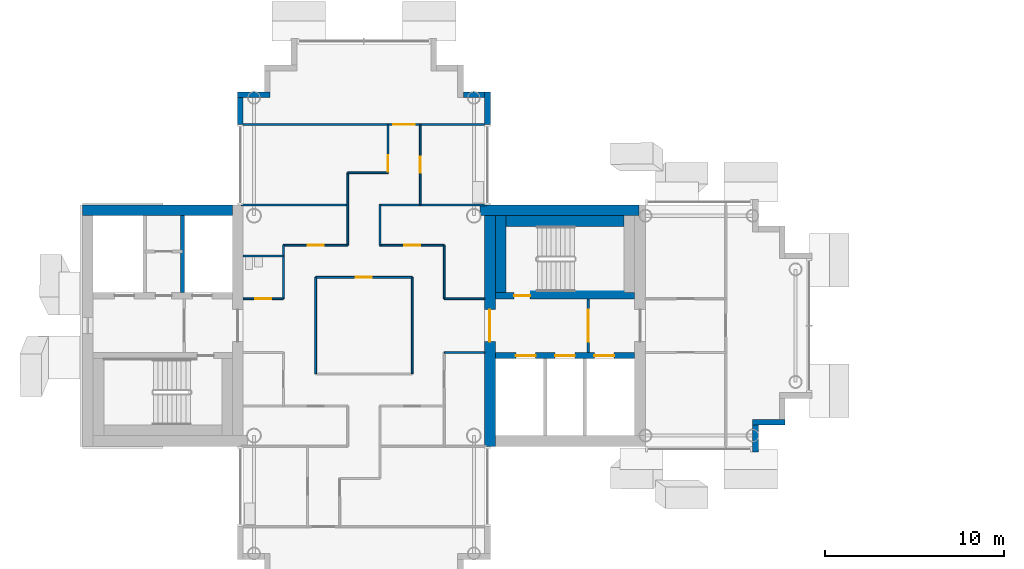
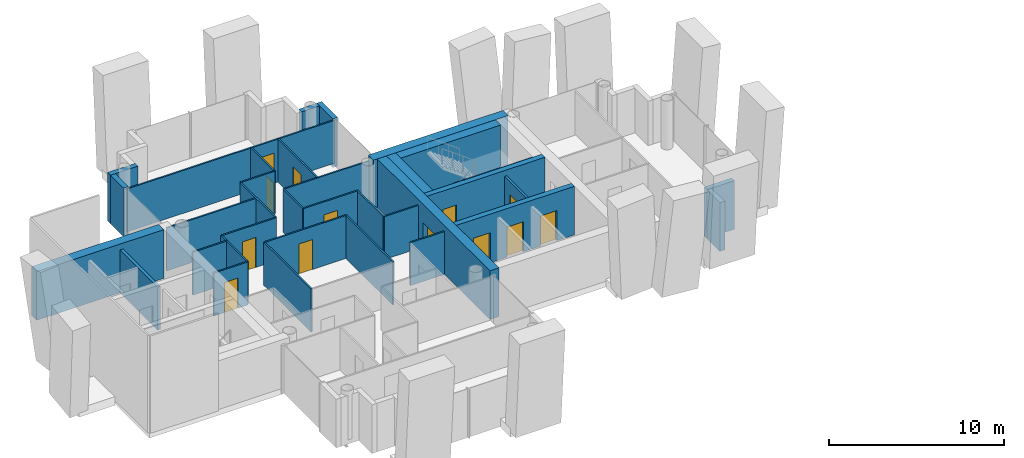
# One storey, part 7 of 18: 35 walls, 13 doors, 13 openings.
"""IFC4 building model written with IfcOpenShell, lengths in metres."""

from ifc_helpers import new_model, si_unit, direction, frame, frame_2d, origin, place, context, subcontext, project, spatial, rectangle, extrude, material, layer, layer_set, type_object, element, fill, save


model = new_model("IFC4")

# Units and contexts
model_context = context("Model", 3, precision=1e-05, world=origin(), true_north=direction((0.0, 1.0)))
body_context = subcontext(model_context, "Body", "Model", "MODEL_VIEW")
ifc_project = project(units=[si_unit("LENGTHUNIT", "METRE"), si_unit("AREAUNIT", "SQUARE_METRE"), si_unit("VOLUMEUNIT", "CUBIC_METRE"), si_unit("PLANEANGLEUNIT", "RADIAN"), si_unit("MASSUNIT", "GRAM", prefix="KILO")], contexts=[model_context])

# Site, building, storey
site_placement = place(None, origin())
site = spatial("IfcSite", under=ifc_project, at=site_placement, CompositionType="ELEMENT")
building_placement = place(site_placement, origin())
building = spatial("IfcBuilding", under=site, at=building_placement, Name="Ipe Terrace Towers", CompositionType="ELEMENT")
storey_placement = place(building_placement, frame((0.0, 0.0, 216.39990234375)))
storey = spatial("IfcBuildingStorey", under=building, at=storey_placement, Name="L60", CompositionType="ELEMENT", Elevation=216.39990234375)

# Walls
ifc_material_1 = material(Name="Concrete C40/50 with buff precast cladding", Category="concrete")
ifc_layer_1 = layer(ifc_material_1, 0.320068359375)
ifc_layer_set_1 = layer_set([ifc_layer_1], Name="BUFF CLADDING WALL 320")
wall_type_1 = type_object("IfcWallType", Name="BUFF CLADDING WALL 320", PredefinedType="STANDARD", material=ifc_layer_set_1)
wall_1_placement = place(storey_placement, frame((-14.090087890625, -7.070068359375, -0.2998046875), z_axis=(0.0, 0.0, 1.0), x_axis=(0.0, 1.0, 0.0)))
element("IfcWall", 1, at=wall_1_placement, inside=storey, type_object=wall_type_1, Name="T1-W-L60-17a wall", PredefinedType="STANDARD", context=body_context, shape_type="SweptSolid", body=[
    extrude(rectangle(XDim=1.5, YDim=0.320068359375, at=frame_2d((0.75, 0.0))), origin(), (0.0, 0.0, 1.0), 3.39990234375),
])
for number, where, z_axis, x_axis, name in (
    (2, (-14.25, -5.409912109375, -0.2998046875), (0.0, 0.0, 1.0), (1.0, 0.0, 0.0), "T1-W-L60-18a wall"),
    (3, (-29.090087890625, 11.25, -0.2998046875), (0.0, 0.0, 1.0), (0.0, 1.0, 0.0), "T1-W-L60-29a wall"),
):
    element("IfcWall", number, at=place(storey_placement, frame(where, z_axis=z_axis, x_axis=x_axis)), inside=storey, type_object=wall_type_1, Name=name, PredefinedType="STANDARD", context=body_context, shape_type="SweptSolid", body=[
        extrude(rectangle(XDim=1.820068359375, YDim=0.320068359375, at=frame_2d((0.91015625, 0.0))), origin(), (0.0, 0.0, 1.0), 3.39990234375),
    ])
wall_2_placement = place(storey_placement, frame((-29.25, 12.909912109375, -0.2998046875), z_axis=(0.0, 0.0, 1.0), x_axis=(-1.0, 0.0, 0.0)))
element("IfcWall", 4, at=wall_2_placement, inside=storey, type_object=wall_type_1, Name="T1-W-L60-30a wall", PredefinedType="STANDARD", context=body_context, shape_type="SweptSolid", body=[
    extrude(rectangle(XDim=1.179931640625, YDim=0.320068359375, at=frame_2d((0.58984375, 0.0))), origin(), (0.0, 0.0, 1.0), 3.39990234375),
])
wall_3_placement = place(storey_placement, frame((-41.25, 12.909912109375, -0.2998046875), z_axis=(0.0, 0.0, 1.0), x_axis=(-1.0, 0.0, 0.0)))
element("IfcWall", 5, at=wall_3_placement, inside=storey, type_object=wall_type_1, Name="T1-W-L60-38a wall", PredefinedType="STANDARD", context=body_context, shape_type="SweptSolid", body=[
    extrude(rectangle(XDim=1.820068359375, YDim=0.320068359375, at=frame_2d((0.91015625, 0.0))), origin(), (0.0, 0.0, 1.0), 3.39990234375),
])
wall_4_placement = place(storey_placement, frame((-42.909912109375, 12.75, -0.2998046875), z_axis=(0.0, 0.0, 1.0), x_axis=(0.0, -1.0, 0.0)))
element("IfcWall", 6, at=wall_4_placement, inside=storey, type_object=wall_type_1, Name="T1-W-L60-39a wall", PredefinedType="STANDARD", context=body_context, shape_type="SweptSolid", body=[
    extrude(rectangle(XDim=1.5, YDim=0.320068359375, at=frame_2d((0.75, 0.0))), origin(), (0.0, 0.0, 1.0), 3.39990234375),
])
ifc_material_2 = material(Name="Gypsum board partition", Category="plasterboard")
ifc_layer_2 = layer(ifc_material_2, 0.10009765625)
ifc_layer_set_2 = layer_set([ifc_layer_2], Name="Gypsum board partition 100 mm")
wall_type_2 = type_object("IfcWallType", Name="Gypsum board partition 100 mm", PredefinedType="PARTITIONING", material=ifc_layer_set_2)
wall_5_placement = place(storey_placement, frame((-40.5, 1.5, 0.0), z_axis=(0.0, 0.0, 1.0), x_axis=(0.0, 1.0, 0.0)))
element("IfcWall", 7, at=wall_5_placement, inside=storey, type_object=wall_type_2, Name="Gypsum board partition T1 L60 W02", PredefinedType="PARTITIONING", context=body_context, shape_type="SweptSolid", body=[
    extrude(rectangle(XDim=3.0, YDim=0.10009765625, at=frame_2d((1.5, 0.0))), origin(), (0.0, 0.0, 1.0), 3.0),
])
wall_6_placement = place(storey_placement, frame((-38.699951171875, -2.699951171875, 0.0), z_axis=(0.0, 0.0, 1.0), x_axis=(0.0, 1.0, 0.0)))
element("IfcWall", 8, at=wall_6_placement, inside=storey, type_object=wall_type_2, Name="Gypsum board partition T1 L60 W04", PredefinedType="PARTITIONING", context=body_context, shape_type="SweptSolid", body=[
    extrude(rectangle(XDim=5.39990234375, YDim=0.10009765625, at=frame_2d((2.699951171875, 0.0))), origin(), (0.0, 0.0, 1.0), 3.0),
])
wall_7_placement = place(storey_placement, frame((-36.89990234375, 4.5, 0.0), z_axis=(0.0, 0.0, 1.0), x_axis=(0.0, 1.0, 0.0)))
element("IfcWall", 9, at=wall_7_placement, inside=storey, type_object=wall_type_2, Name="Gypsum board partition T1 L60 W07", PredefinedType="PARTITIONING", context=body_context, shape_type="SweptSolid", body=[
    extrude(rectangle(XDim=4.050048828125, YDim=0.10009765625, at=frame_2d((2.02490234375, 0.0))), origin(), (0.0, 0.0, 1.0), 3.0),
])
wall_8_placement = place(storey_placement, frame((-35.10009765625, 4.5, 0.0), z_axis=(0.0, 0.0, 1.0), x_axis=(0.0, 1.0, 0.0)))
element("IfcWall", 10, at=wall_8_placement, inside=storey, type_object=wall_type_2, Name="Gypsum board partition T1 L60 W09", PredefinedType="PARTITIONING", context=body_context, shape_type="SweptSolid", body=[
    extrude(rectangle(XDim=2.25, YDim=0.10009765625, at=frame_2d((1.125, 0.0))), origin(), (0.0, 0.0, 1.0), 3.0),
])

# Wall, opening, door
wall_9_placement = place(storey_placement, frame((-34.64990234375, 8.550048828125, 0.0), z_axis=(0.0, 0.0, 1.0), x_axis=(0.0, 1.0, 0.0)))
wall_9 = element("IfcWall", 11, at=wall_9_placement, inside=storey, type_object=wall_type_2, Name="Gypsum board partition T1 L60 W10", PredefinedType="PARTITIONING", context=body_context, shape_type="SweptSolid", body=[
    extrude(rectangle(XDim=2.699951171875, YDim=0.10009765625, at=frame_2d((1.35009765625, 0.0))), origin(), (0.0, 0.0, 1.0), 3.0),
])
opening_1_placement = place(wall_9_placement, frame((0.070068359375, 0.0, 0.0)))
opening_1 = element("IfcOpeningElement", 12, at=opening_1_placement, cuts=wall_9, Name="Opening T1-Z4F-09", PredefinedType="OPENING", context=body_context, shape_type="SweptSolid", body=[
    extrude(rectangle(XDim=0.89990234375, YDim=2.10009765625, at=frame_2d((0.449951171875, 1.050048828125))), frame((0.0, 0.06005859375, 0.0), z_axis=(0.0, -1.0, 0.0), x_axis=(1.0, 0.0, 0.0)), (0.0, 0.0, 1.0), 0.1201171875),
])
ifc_material_3 = material(Name="Timber door leaf", Category="wood")
door_type_1 = type_object("IfcDoorType", Name="Lounge door 900 x 2100", OperationType="NOTDEFINED", PredefinedType="DOOR", material=ifc_material_3)
door_1_placement = place(opening_1_placement, origin())
door_1 = element("IfcDoor", 13, at=door_1_placement, inside=storey, type_object=door_type_1, Name="Lounge door T1-Z4F-09", OperationType="SINGLE_SWING_RIGHT", OverallHeight=2.10009765625, OverallWidth=0.89990234375, PredefinedType="DOOR", context=body_context, shape_type="SweptSolid", body=[
    extrude(rectangle(XDim=0.89990234375, YDim=2.10009765625, at=frame_2d((0.449951171875, 1.050048828125))), frame((0.0, 0.02490234375, 0.0), z_axis=(0.0, -1.0, 0.0), x_axis=(1.0, 0.0, 0.0)), (0.0, 0.0, 1.0), 0.050048828125),
])
fill(opening_1, door_1)

# Wall
wall_10_placement = place(storey_placement, frame((-33.300048828125, -2.699951171875, 0.0), z_axis=(0.0, 0.0, 1.0), x_axis=(0.0, 1.0, 0.0)))
element("IfcWall", 14, at=wall_10_placement, inside=storey, type_object=wall_type_2, Name="Gypsum board partition T1 L60 W11", PredefinedType="PARTITIONING", context=body_context, shape_type="SweptSolid", body=[
    extrude(rectangle(XDim=5.39990234375, YDim=0.10009765625, at=frame_2d((2.699951171875, 0.0))), origin(), (0.0, 0.0, 1.0), 3.0),
])

# Wall, opening, door
wall_11_placement = place(storey_placement, frame((-32.85009765625, 6.75, 0.0), z_axis=(0.0, 0.0, 1.0), x_axis=(0.0, 1.0, 0.0)))
wall_11 = element("IfcWall", 15, at=wall_11_placement, inside=storey, type_object=wall_type_2, Name="Gypsum board partition T1 L60 W12", PredefinedType="PARTITIONING", context=body_context, shape_type="SweptSolid", body=[
    extrude(rectangle(XDim=4.5, YDim=0.10009765625, at=frame_2d((2.25, 0.0))), origin(), (0.0, 0.0, 1.0), 3.0),
])
opening_2_placement = place(wall_11_placement, frame((1.800048828125, 0.0, 0.0)))
opening_2 = element("IfcOpeningElement", 16, at=opening_2_placement, cuts=wall_11, Name="Opening T1-Z4F-10", PredefinedType="OPENING", context=body_context, shape_type="SweptSolid", body=[
    extrude(rectangle(XDim=0.89990234375, YDim=2.10009765625, at=frame_2d((0.449951171875, 1.050048828125))), frame((0.0, 0.06005859375, 0.0), z_axis=(0.0, -1.0, 0.0), x_axis=(1.0, 0.0, 0.0)), (0.0, 0.0, 1.0), 0.1201171875),
])
door_2_placement = place(opening_2_placement, origin())
door_2 = element("IfcDoor", 17, at=door_2_placement, inside=storey, type_object=door_type_1, Name="Lounge door T1-Z4F-10", OperationType="SINGLE_SWING_RIGHT", OverallHeight=2.10009765625, OverallWidth=0.89990234375, PredefinedType="DOOR", context=body_context, shape_type="SweptSolid", body=[
    extrude(rectangle(XDim=0.89990234375, YDim=2.10009765625, at=frame_2d((0.449951171875, 1.050048828125))), frame((0.0, 0.02490234375, 0.0), z_axis=(0.0, -1.0, 0.0), x_axis=(1.0, 0.0, 0.0)), (0.0, 0.0, 1.0), 0.050048828125),
])
fill(opening_2, door_2)

# Walls
wall_12_placement = place(storey_placement, frame((-31.5, 1.5, 0.0), z_axis=(0.0, 0.0, 1.0), x_axis=(0.0, 1.0, 0.0)))
element("IfcWall", 18, at=wall_12_placement, inside=storey, type_object=wall_type_2, Name="Gypsum board partition T1 L60 W14", PredefinedType="PARTITIONING", context=body_context, shape_type="SweptSolid", body=[
    extrude(rectangle(XDim=3.0, YDim=0.10009765625, at=frame_2d((1.5, 0.0))), origin(), (0.0, 0.0, 1.0), 3.0),
])
wall_13_placement = place(storey_placement, frame((-31.5, -1.5, 0.0), z_axis=(0.0, 0.0, 1.0), x_axis=(1.0, 0.0, 0.0)))
element("IfcWall", 19, at=wall_13_placement, inside=storey, type_object=wall_type_2, Name="Gypsum board partition T1 L60 W24", PredefinedType="PARTITIONING", context=body_context, shape_type="SweptSolid", body=[
    extrude(rectangle(XDim=2.25, YDim=0.10009765625, at=frame_2d((1.125, 0.0))), origin(), (0.0, 0.0, 1.0), 3.0),
])

# Wall, opening, door
wall_14_placement = place(storey_placement, frame((-42.75, 1.5, 0.0), z_axis=(0.0, 0.0, 1.0), x_axis=(1.0, 0.0, 0.0)))
wall_14 = element("IfcWall", 20, at=wall_14_placement, inside=storey, type_object=wall_type_2, Name="Gypsum board partition T1 L60 W26", PredefinedType="PARTITIONING", context=body_context, shape_type="SweptSolid", body=[
    extrude(rectangle(XDim=2.25, YDim=0.10009765625, at=frame_2d((1.125, 0.0))), origin(), (0.0, 0.0, 1.0), 3.0),
])
opening_3_placement = place(wall_14_placement, frame((0.675048828125, 0.0, 0.0)))
opening_3 = element("IfcOpeningElement", 21, at=opening_3_placement, cuts=wall_14, Name="Opening T1-Z4F-02", PredefinedType="OPENING", context=body_context, shape_type="SweptSolid", body=[
    extrude(rectangle(XDim=0.89990234375, YDim=2.10009765625, at=frame_2d((0.449951171875, 1.050048828125))), frame((0.0, 0.06005859375, 0.0), z_axis=(0.0, -1.0, 0.0), x_axis=(1.0, 0.0, 0.0)), (0.0, 0.0, 1.0), 0.1201171875),
])
ifc_material_4 = material(Name="Timber door leaf", Category="wood")
door_type_2 = type_object("IfcDoorType", Name="Bathroom door 900 x 2100", OperationType="NOTDEFINED", PredefinedType="DOOR", material=ifc_material_4)
door_3_placement = place(opening_3_placement, origin())
door_3 = element("IfcDoor", 22, at=door_3_placement, inside=storey, type_object=door_type_2, Name="Bathroom door T1-Z4F-02", OperationType="SINGLE_SWING_LEFT", OverallHeight=2.10009765625, OverallWidth=0.89990234375, PredefinedType="DOOR", context=body_context, shape_type="SweptSolid", body=[
    extrude(rectangle(XDim=0.89990234375, YDim=2.10009765625, at=frame_2d((0.449951171875, 1.050048828125))), frame((0.0, 0.02490234375, 0.0), z_axis=(0.0, -1.0, 0.0), x_axis=(1.0, 0.0, 0.0)), (0.0, 0.0, 1.0), 0.050048828125),
])
fill(opening_3, door_3)

# Wall
wall_15_placement = place(storey_placement, frame((-31.5, 1.5, 0.0), z_axis=(0.0, 0.0, 1.0), x_axis=(1.0, 0.0, 0.0)))
element("IfcWall", 23, at=wall_15_placement, inside=storey, type_object=wall_type_2, Name="Gypsum board partition T1 L60 W27", PredefinedType="PARTITIONING", context=body_context, shape_type="SweptSolid", body=[
    extrude(rectangle(XDim=2.25, YDim=0.10009765625, at=frame_2d((1.125, 0.0))), origin(), (0.0, 0.0, 1.0), 3.0),
])

# Wall, opening, door
wall_16_placement = place(storey_placement, frame((-38.699951171875, 2.699951171875, 0.0), z_axis=(0.0, 0.0, 1.0), x_axis=(1.0, 0.0, 0.0)))
wall_16 = element("IfcWall", 24, at=wall_16_placement, inside=storey, type_object=wall_type_2, Name="Gypsum board partition T1 L60 W29", PredefinedType="PARTITIONING", context=body_context, shape_type="SweptSolid", body=[
    extrude(rectangle(XDim=5.39990234375, YDim=0.10009765625, at=frame_2d((2.699951171875, 0.0))), origin(), (0.0, 0.0, 1.0), 3.0),
])
opening_4_placement = place(wall_16_placement, frame((2.25, 0.0, 0.0)))
opening_4 = element("IfcOpeningElement", 25, at=opening_4_placement, cuts=wall_16, Name="Opening T1-Z4F-01", PredefinedType="OPENING", context=body_context, shape_type="SweptSolid", body=[
    extrude(rectangle(XDim=0.89990234375, YDim=2.10009765625, at=frame_2d((0.449951171875, 1.050048828125))), frame((0.0, 0.06005859375, 0.0), z_axis=(0.0, -1.0, 0.0), x_axis=(1.0, 0.0, 0.0)), (0.0, 0.0, 1.0), 0.1201171875),
])
door_4_placement = place(opening_4_placement, origin())
door_4 = element("IfcDoor", 26, at=door_4_placement, inside=storey, type_object=door_type_1, Name="Lounge door T1-Z4F-01", OperationType="SINGLE_SWING_RIGHT", OverallHeight=2.10009765625, OverallWidth=0.89990234375, PredefinedType="DOOR", context=body_context, shape_type="SweptSolid", body=[
    extrude(rectangle(XDim=0.89990234375, YDim=2.10009765625, at=frame_2d((0.449951171875, 1.050048828125))), frame((0.0, 0.02490234375, 0.0), z_axis=(0.0, -1.0, 0.0), x_axis=(1.0, 0.0, 0.0)), (0.0, 0.0, 1.0), 0.050048828125),
])
fill(opening_4, door_4)

# Wall
wall_17_placement = place(storey_placement, frame((-42.75, 3.89990234375, 0.0), z_axis=(0.0, 0.0, 1.0), x_axis=(1.0, 0.0, 0.0)))
element("IfcWall", 27, at=wall_17_placement, inside=storey, type_object=wall_type_2, Name="Gypsum board partition T1 L60 W30", PredefinedType="PARTITIONING", context=body_context, shape_type="SweptSolid", body=[
    extrude(rectangle(XDim=2.25, YDim=0.10009765625, at=frame_2d((1.125, 0.0))), origin(), (0.0, 0.0, 1.0), 3.0),
])

# Wall, opening, door
wall_18_placement = place(storey_placement, frame((-40.5, 4.5, 0.0), z_axis=(0.0, 0.0, 1.0), x_axis=(1.0, 0.0, 0.0)))
wall_18 = element("IfcWall", 28, at=wall_18_placement, inside=storey, type_object=wall_type_2, Name="Gypsum board partition T1 L60 W31", PredefinedType="PARTITIONING", context=body_context, shape_type="SweptSolid", body=[
    extrude(rectangle(XDim=3.60009765625, YDim=0.10009765625, at=frame_2d((1.800048828125, 0.0))), origin(), (0.0, 0.0, 1.0), 3.0),
])
opening_5_placement = place(wall_18_placement, frame((1.35009765625, 0.0, 0.0)))
opening_5 = element("IfcOpeningElement", 29, at=opening_5_placement, cuts=wall_18, Name="Opening T1-Z4F-04", PredefinedType="OPENING", context=body_context, shape_type="SweptSolid", body=[
    extrude(rectangle(XDim=0.89990234375, YDim=2.10009765625, at=frame_2d((0.449951171875, 1.050048828125))), frame((0.0, 0.06005859375, 0.0), z_axis=(0.0, -1.0, 0.0), x_axis=(1.0, 0.0, 0.0)), (0.0, 0.0, 1.0), 0.1201171875),
])
door_5_placement = place(opening_5_placement, origin())
door_5 = element("IfcDoor", 30, at=door_5_placement, inside=storey, type_object=door_type_1, Name="Lounge door T1-Z4F-04", OperationType="SINGLE_SWING_RIGHT", OverallHeight=2.10009765625, OverallWidth=0.89990234375, PredefinedType="DOOR", context=body_context, shape_type="SweptSolid", body=[
    extrude(rectangle(XDim=0.89990234375, YDim=2.10009765625, at=frame_2d((0.449951171875, 1.050048828125))), frame((0.0, 0.02490234375, 0.0), z_axis=(0.0, -1.0, 0.0), x_axis=(1.0, 0.0, 0.0)), (0.0, 0.0, 1.0), 0.050048828125),
])
fill(opening_5, door_5)

wall_19_placement = place(storey_placement, frame((-35.10009765625, 4.5, 0.0), z_axis=(0.0, 0.0, 1.0), x_axis=(1.0, 0.0, 0.0)))
wall_19 = element("IfcWall", 31, at=wall_19_placement, inside=storey, type_object=wall_type_2, Name="Gypsum board partition T1 L60 W32", PredefinedType="PARTITIONING", context=body_context, shape_type="SweptSolid", body=[
    extrude(rectangle(XDim=3.60009765625, YDim=0.10009765625, at=frame_2d((1.800048828125, 0.0))), origin(), (0.0, 0.0, 1.0), 3.0),
])
opening_6_placement = place(wall_19_placement, frame((1.35009765625, 0.0, 0.0)))
opening_6 = element("IfcOpeningElement", 32, at=opening_6_placement, cuts=wall_19, Name="Opening T1-Z4F-03", PredefinedType="OPENING", context=body_context, shape_type="SweptSolid", body=[
    extrude(rectangle(XDim=0.89990234375, YDim=2.10009765625, at=frame_2d((0.449951171875, 1.050048828125))), frame((0.0, 0.06005859375, 0.0), z_axis=(0.0, -1.0, 0.0), x_axis=(1.0, 0.0, 0.0)), (0.0, 0.0, 1.0), 0.1201171875),
])
door_6_placement = place(opening_6_placement, origin())
door_6 = element("IfcDoor", 33, at=door_6_placement, inside=storey, type_object=door_type_1, Name="Lounge door T1-Z4F-03", OperationType="SINGLE_SWING_RIGHT", OverallHeight=2.10009765625, OverallWidth=0.89990234375, PredefinedType="DOOR", context=body_context, shape_type="SweptSolid", body=[
    extrude(rectangle(XDim=0.89990234375, YDim=2.10009765625, at=frame_2d((0.449951171875, 1.050048828125))), frame((0.0, 0.02490234375, 0.0), z_axis=(0.0, -1.0, 0.0), x_axis=(1.0, 0.0, 0.0)), (0.0, 0.0, 1.0), 0.050048828125),
])
fill(opening_6, door_6)

# Walls
for number, where, z_axis, x_axis, name in (
    (34, (-42.85009765625, 6.75, 0.0), (0.0, 0.0, 1.0), (1.0, 0.0, 0.0), "Gypsum board partition T1 L60 W33"),
    (35, (-35.10009765625, 6.75, 0.0), (0.0, 0.0, 1.0), (1.0, 0.0, 0.0), "Gypsum board partition T1 L60 W34"),
):
    element("IfcWall", number, at=place(storey_placement, frame(where, z_axis=z_axis, x_axis=x_axis)), inside=storey, type_object=wall_type_2, Name=name, PredefinedType="PARTITIONING", context=body_context, shape_type="SweptSolid", body=[
        extrude(rectangle(XDim=5.9501953125, YDim=0.10009765625, at=frame_2d((2.97509765625, 0.0))), origin(), (0.0, 0.0, 1.0), 3.0),
    ])
wall_20_placement = place(storey_placement, frame((-36.89990234375, 8.550048828125, 0.0), z_axis=(0.0, 0.0, 1.0), x_axis=(1.0, 0.0, 0.0)))
element("IfcWall", 36, at=wall_20_placement, inside=storey, type_object=wall_type_2, Name="Gypsum board partition T1 L60 W35", PredefinedType="PARTITIONING", context=body_context, shape_type="SweptSolid", body=[
    extrude(rectangle(XDim=2.25, YDim=0.10009765625, at=frame_2d((1.125, 0.0))), origin(), (0.0, 0.0, 1.0), 3.0),
])

# Wall, opening, door
wall_21_placement = place(storey_placement, frame((-42.85009765625, 11.25, 0.0), z_axis=(0.0, 0.0, 1.0), x_axis=(1.0, 0.0, 0.0)))
wall_21 = element("IfcWall", 37, at=wall_21_placement, inside=storey, type_object=wall_type_2, Name="Gypsum board partition T1 L60 W36", PredefinedType="PARTITIONING", context=body_context, shape_type="SweptSolid", body=[
    extrude(rectangle(XDim=13.7001953125, YDim=0.10009765625, at=frame_2d((6.85009765625, 0.0))), origin(), (0.0, 0.0, 1.0), 3.0),
])
opening_7_placement = place(wall_21_placement, frame((8.5, 0.0, 0.0)))
opening_7 = element("IfcOpeningElement", 38, at=opening_7_placement, cuts=wall_21, Name="Opening T1-Z4F-11", PredefinedType="OPENING", context=body_context, shape_type="SweptSolid", body=[
    extrude(rectangle(XDim=1.199951171875, YDim=2.10009765625, at=frame_2d((0.60009765625, 1.050048828125))), frame((0.0, 0.06005859375, 0.0), z_axis=(0.0, -1.0, 0.0), x_axis=(1.0, 0.0, 0.0)), (0.0, 0.0, 1.0), 0.1201171875),
])
ifc_material_5 = material(Name="Timber door leaf", Category="wood")
door_type_3 = type_object("IfcDoorType", Name="Lounge door 1200 x 2100", OperationType="NOTDEFINED", PredefinedType="DOOR", material=ifc_material_5)
door_7_placement = place(opening_7_placement, origin())
door_7 = element("IfcDoor", 39, at=door_7_placement, inside=storey, type_object=door_type_3, Name="Lounge door T1-Z4F-11", OperationType="SINGLE_SWING_LEFT", OverallHeight=2.10009765625, OverallWidth=1.199951171875, PredefinedType="DOOR", context=body_context, shape_type="SweptSolid", body=[
    extrude(rectangle(XDim=1.199951171875, YDim=2.10009765625, at=frame_2d((0.60009765625, 1.050048828125))), frame((0.0, 0.02490234375, 0.0), z_axis=(0.0, -1.0, 0.0), x_axis=(1.0, 0.0, 0.0)), (0.0, 0.0, 1.0), 0.050048828125),
])
fill(opening_7, door_7)

ifc_material_6 = material(Name="Gypsum board partition", Category="plasterboard")
ifc_layer_3 = layer(ifc_material_6, 0.14990234375)
ifc_layer_set_3 = layer_set([ifc_layer_3], Name="Gypsum board partition 150 mm")
wall_type_3 = type_object("IfcWallType", Name="Gypsum board partition 150 mm", PredefinedType="PARTITIONING", material=ifc_layer_set_3)
wall_22_placement = place(storey_placement, frame((-23.449951171875, -1.5, 0.0), z_axis=(0.0, 0.0, 1.0), x_axis=(0.0, 1.0, 0.0)))
wall_22 = element("IfcWall", 40, at=wall_22_placement, inside=storey, type_object=wall_type_3, Name="Gypsum board partition T1 L60 t1c1-lobby-wall", PredefinedType="PARTITIONING", context=body_context, shape_type="SweptSolid", body=[
    extrude(rectangle(XDim=3.0, YDim=0.14990234375, at=frame_2d((1.5, 0.0))), origin(), (0.0, 0.0, 1.0), 3.0),
])
opening_8_placement = place(wall_22_placement, frame((0.60009765625, 0.0, 0.0)))
opening_8 = element("IfcOpeningElement", 41, at=opening_8_placement, cuts=wall_22, Name="Opening T1C1-VD", PredefinedType="OPENING", context=body_context, shape_type="SweptSolid", body=[
    extrude(rectangle(XDim=1.800048828125, YDim=2.10009765625, at=frame_2d((0.89990234375, 1.050048828125))), frame((0.0, 0.0849609375, 0.0), z_axis=(0.0, -1.0, 0.0), x_axis=(1.0, 0.0, 0.0)), (0.0, 0.0, 1.0), 0.169921875),
])
ifc_material_7 = material(Name="Fire-rated timber door leaf", Category="wood")
door_type_4 = type_object("IfcDoorType", Name="Lobby door 1800 x 2100 FD60", OperationType="NOTDEFINED", PredefinedType="DOOR", material=ifc_material_7)
door_8_placement = place(opening_8_placement, origin())
door_8 = element("IfcDoor", 42, at=door_8_placement, inside=storey, type_object=door_type_4, Name="Lobby door T1C1-VD", OperationType="SINGLE_SWING_LEFT", OverallHeight=2.10009765625, OverallWidth=1.800048828125, PredefinedType="DOOR", context=body_context, shape_type="SweptSolid", body=[
    extrude(rectangle(XDim=1.800048828125, YDim=2.10009765625, at=frame_2d((0.89990234375, 1.050048828125))), frame((0.0, 0.02490234375, 0.0), z_axis=(0.0, -1.0, 0.0), x_axis=(1.0, 0.0, 0.0)), (0.0, 0.0, 1.0), 0.050048828125),
])
fill(opening_8, door_8)

# Wall
ifc_material_8 = material(Name="Gypsum board party wall", Category="plasterboard")
ifc_layer_4 = layer(ifc_material_8, 0.199951171875)
ifc_layer_set_4 = layer_set([ifc_layer_4], Name="Gypsum board party wall 200 mm")
wall_type_4 = type_object("IfcWallType", Name="Gypsum board party wall 200 mm", PredefinedType="SOLIDWALL", material=ifc_layer_set_4)
wall_23_placement = place(storey_placement, frame((-46.14990234375, 6.14990234375, 0.0), z_axis=(0.0, 0.0, 1.0), x_axis=(0.0, -1.0, 0.0)))
element("IfcWall", 43, at=wall_23_placement, inside=storey, type_object=wall_type_4, Name="Gypsum board party wall T1 L60 t1c2-shaft-div1", PredefinedType="SOLIDWALL", context=body_context, shape_type="SweptSolid", body=[
    extrude(rectangle(XDim=4.2998046875, YDim=0.199951171875, at=frame_2d((2.14990234375, 0.0))), origin(), (0.0, 0.0, 1.0), 3.0),
])

# Wall, openings, doors
ifc_material_9 = material(Name="Concrete C40/50", Category="concrete")
ifc_layer_5 = layer(ifc_material_9, 0.35009765625)
ifc_layer_set_5 = layer_set([ifc_layer_5], Name="RW350 CORE SPINE WALL 350 C40-50")
wall_type_5 = type_object("IfcWallType", Name="RW350 CORE SPINE WALL 350 C40-50", PredefinedType="SHEAR", material=ifc_layer_set_5)
wall_24_placement = place(storey_placement, frame((-28.64990234375, -1.675048828125, 0.0), z_axis=(0.0, 0.0, 1.0), x_axis=(1.0, 0.0, 0.0)))
wall_24 = element("IfcWall", 44, at=wall_24_placement, inside=storey, type_object=wall_type_5, Name="Core spine wall T1-C1-Z4-SW1", PredefinedType="SHEAR", context=body_context, shape_type="SweptSolid", body=[
    extrude(rectangle(XDim=7.7998046875, YDim=0.35009765625, at=frame_2d((3.89990234375, 0.0))), origin(), (0.0, 0.0, 1.0), 3.400146484375),
])
opening_9_placement = place(wall_24_placement, frame((1.14990234375, 0.0, 0.0)))
opening_9 = element("IfcOpeningElement", 45, at=opening_9_placement, cuts=wall_24, Name="Opening T1C1-LD1", PredefinedType="OPENING", context=body_context, shape_type="SweptSolid", body=[
    extrude(rectangle(XDim=1.10009765625, YDim=2.10009765625, at=frame_2d((0.550048828125, 1.050048828125))), frame((0.0, 0.18505859375, 0.0), z_axis=(0.0, -1.0, 0.0), x_axis=(1.0, 0.0, 0.0)), (0.0, 0.0, 1.0), 0.3701171875),
])
opening_10_placement = place(wall_24_placement, frame((3.35009765625, 0.0, 0.0)))
opening_10 = element("IfcOpeningElement", 46, at=opening_10_placement, cuts=wall_24, Name="Opening T1C1-LD2", PredefinedType="OPENING", context=body_context, shape_type="SweptSolid", body=[
    extrude(rectangle(XDim=1.10009765625, YDim=2.10009765625, at=frame_2d((0.550048828125, 1.050048828125))), frame((0.0, 0.18505859375, 0.0), z_axis=(0.0, -1.0, 0.0), x_axis=(1.0, 0.0, 0.0)), (0.0, 0.0, 1.0), 0.3701171875),
])
opening_11_placement = place(wall_24_placement, frame((5.550048828125, 0.0, 0.0)))
opening_11 = element("IfcOpeningElement", 47, at=opening_11_placement, cuts=wall_24, Name="Opening T1C1-LD3", PredefinedType="OPENING", context=body_context, shape_type="SweptSolid", body=[
    extrude(rectangle(XDim=1.10009765625, YDim=2.10009765625, at=frame_2d((0.550048828125, 1.050048828125))), frame((0.0, 0.18505859375, 0.0), z_axis=(0.0, -1.0, 0.0), x_axis=(1.0, 0.0, 0.0)), (0.0, 0.0, 1.0), 0.3701171875),
])
ifc_material_10 = material(Name="Fire-rated timber door leaf", Category="wood")
door_type_5 = type_object("IfcDoorType", Name="Sliding door 1100 x 2100 FD60", OperationType="SLIDING_TO_LEFT", PredefinedType="DOOR", material=ifc_material_10)
door_9_placement = place(opening_9_placement, origin())
door_9 = element("IfcDoor", 48, at=door_9_placement, inside=storey, type_object=door_type_5, Name="Sliding door T1C1-LD1", OperationType="SLIDING_TO_LEFT", OverallHeight=2.10009765625, OverallWidth=1.10009765625, PredefinedType="DOOR", context=body_context, shape_type="SweptSolid", body=[
    extrude(rectangle(XDim=1.10009765625, YDim=2.10009765625, at=frame_2d((0.550048828125, 1.050048828125))), frame((0.0, 0.02490234375, 0.0), z_axis=(0.0, -1.0, 0.0), x_axis=(1.0, 0.0, 0.0)), (0.0, 0.0, 1.0), 0.050048828125),
])
fill(opening_9, door_9)
door_10_placement = place(opening_10_placement, origin())
door_10 = element("IfcDoor", 49, at=door_10_placement, inside=storey, type_object=door_type_5, Name="Sliding door T1C1-LD2", OperationType="SLIDING_TO_LEFT", OverallHeight=2.10009765625, OverallWidth=1.10009765625, PredefinedType="DOOR", context=body_context, shape_type="SweptSolid", body=[
    extrude(rectangle(XDim=1.10009765625, YDim=2.10009765625, at=frame_2d((0.550048828125, 1.050048828125))), frame((0.0, 0.02490234375, 0.0), z_axis=(0.0, -1.0, 0.0), x_axis=(1.0, 0.0, 0.0)), (0.0, 0.0, 1.0), 0.050048828125),
])
fill(opening_10, door_10)
door_11_placement = place(opening_11_placement, origin())
door_11 = element("IfcDoor", 50, at=door_11_placement, inside=storey, type_object=door_type_5, Name="Sliding door T1C1-LD3", OperationType="SLIDING_TO_LEFT", OverallHeight=2.10009765625, OverallWidth=1.10009765625, PredefinedType="DOOR", context=body_context, shape_type="SweptSolid", body=[
    extrude(rectangle(XDim=1.10009765625, YDim=2.10009765625, at=frame_2d((0.550048828125, 1.050048828125))), frame((0.0, 0.02490234375, 0.0), z_axis=(0.0, -1.0, 0.0), x_axis=(1.0, 0.0, 0.0)), (0.0, 0.0, 1.0), 0.050048828125),
])
fill(opening_11, door_11)

# Wall, opening, door
wall_25_placement = place(storey_placement, frame((-28.64990234375, 1.675048828125, 0.0), z_axis=(0.0, 0.0, 1.0), x_axis=(1.0, 0.0, 0.0)))
wall_25 = element("IfcWall", 51, at=wall_25_placement, inside=storey, type_object=wall_type_5, Name="Core spine wall T1-C1-Z4-SW2", PredefinedType="SHEAR", context=body_context, shape_type="SweptSolid", body=[
    extrude(rectangle(XDim=7.7998046875, YDim=0.35009765625, at=frame_2d((3.89990234375, 0.0))), origin(), (0.0, 0.0, 1.0), 3.400146484375),
])
opening_12_placement = place(wall_25_placement, frame((1.050048828125, 0.0, 0.0)))
opening_12 = element("IfcOpeningElement", 52, at=opening_12_placement, cuts=wall_25, Name="Opening T1C1-SD", PredefinedType="OPENING", context=body_context, shape_type="SweptSolid", body=[
    extrude(rectangle(XDim=0.89990234375, YDim=2.10009765625, at=frame_2d((0.449951171875, 1.050048828125))), frame((0.0, 0.18505859375, 0.0), z_axis=(0.0, -1.0, 0.0), x_axis=(1.0, 0.0, 0.0)), (0.0, 0.0, 1.0), 0.3701171875),
])
ifc_material_11 = material(Name="Fire-rated timber door leaf", Category="wood")
door_type_6 = type_object("IfcDoorType", Name="Stair door 900 x 2100 FD60", OperationType="NOTDEFINED", PredefinedType="DOOR", material=ifc_material_11)
door_12_placement = place(opening_12_placement, origin())
door_12 = element("IfcDoor", 53, at=door_12_placement, inside=storey, type_object=door_type_6, Name="Stair door T1C1-SD", OperationType="SINGLE_SWING_LEFT", OverallHeight=2.10009765625, OverallWidth=0.89990234375, PredefinedType="DOOR", context=body_context, shape_type="SweptSolid", body=[
    extrude(rectangle(XDim=0.89990234375, YDim=2.10009765625, at=frame_2d((0.449951171875, 1.050048828125))), frame((0.0, 0.02490234375, 0.0), z_axis=(0.0, -1.0, 0.0), x_axis=(1.0, 0.0, 0.0)), (0.0, 0.0, 1.0), 0.050048828125),
])
fill(opening_12, door_12)

# Walls
ifc_material_12 = material(Name="Concrete C40/50", Category="concrete")
ifc_layer_6 = layer(ifc_material_12, 0.050048828125)
ifc_layer_set_6 = layer_set([ifc_layer_6], Name="RW50 CORE INFILL WALL 50 C40-50")
wall_type_6 = type_object("IfcWallType", Name="RW50 CORE INFILL WALL 50 C40-50", PredefinedType="SHEAR", material=ifc_layer_set_6)
wall_26_placement = place(storey_placement, frame((-26.64990234375, 1.875, 0.0), z_axis=(0.0, 0.0, 1.0), x_axis=(1.0, 0.0, 0.0)))
element("IfcWall", 54, at=wall_26_placement, inside=storey, type_object=wall_type_6, Name="Core infill wall T1-C1-spine-b", PredefinedType="SHEAR", context=body_context, shape_type="SweptSolid", body=[
    extrude(rectangle(XDim=5.199951171875, YDim=0.050048828125, at=frame_2d((2.60009765625, 0.0))), origin(), (0.0, 0.0, 1.0), 3.400146484375),
])
ifc_material_13 = material(Name="Concrete C40/50", Category="concrete")
ifc_layer_7 = layer(ifc_material_13, 0.60009765625)
ifc_layer_set_7 = layer_set([ifc_layer_7], Name="RW600 CORE INFILL WALL 600 C40-50")
wall_type_7 = type_object("IfcWallType", Name="RW600 CORE INFILL WALL 600 C40-50", PredefinedType="SHEAR", material=ifc_layer_set_7)
wall_27_placement = place(storey_placement, frame((-28.050048828125, 5.85009765625, 0.0), z_axis=(0.0, 0.0, 1.0), x_axis=(1.0, 0.0, 0.0)))
element("IfcWall", 55, at=wall_27_placement, inside=storey, type_object=wall_type_7, Name="Core infill wall T1-C1-back", PredefinedType="SHEAR", context=body_context, shape_type="SweptSolid", body=[
    extrude(rectangle(XDim=6.60009765625, YDim=0.60009765625, at=frame_2d((3.300048828125, 0.0))), origin(), (0.0, 0.0, 1.0), 3.400146484375),
])
wall_28_placement = place(storey_placement, frame((-28.35009765625, 1.85009765625, 0.0), z_axis=(0.0, 0.0, 1.0), x_axis=(0.0, 1.0, 0.0)))
element("IfcWall", 56, at=wall_28_placement, inside=storey, type_object=wall_type_7, Name="Core infill wall T1-C1-near", PredefinedType="SHEAR", context=body_context, shape_type="SweptSolid", body=[
    extrude(rectangle(XDim=4.2998046875, YDim=0.60009765625, at=frame_2d((2.14990234375, 0.0))), origin(), (0.0, 0.0, 1.0), 3.400146484375),
])
ifc_material_14 = material(Name="Concrete C40/50", Category="concrete")
ifc_layer_8 = layer(ifc_material_14, 0.60009765625)
ifc_layer_set_8 = layer_set([ifc_layer_8], Name="RW600 CORE WALL 600 C40-50")
wall_type_8 = type_object("IfcWallType", Name="RW600 CORE WALL 600 C40-50", PredefinedType="SHEAR", material=ifc_layer_set_8)
wall_29_placement = place(storey_placement, frame((-20.60205078125, 6.449951171875, 0.0), z_axis=(0.0, 0.0, 1.0), x_axis=(-1.0, 0.0, 0.0)))
element("IfcWall", 57, at=wall_29_placement, inside=storey, type_object=wall_type_8, Name="Core wall T1-C1-Z4-W03", PredefinedType="SHEAR", context=body_context, shape_type="SweptSolid", body=[
    extrude(rectangle(XDim=8.89599609375, YDim=0.60009765625, at=frame_2d((4.447998046875, 0.0))), origin(), (0.0, 0.0, 1.0), 3.400146484375),
])

# Wall, opening, door
wall_30_placement = place(storey_placement, frame((-28.949951171875, 6.14990234375, 0.0), z_axis=(0.0, 0.0, 1.0), x_axis=(0.0, -1.0, 0.0)))
wall_30 = element("IfcWall", 58, at=wall_30_placement, inside=storey, type_object=wall_type_8, Name="Core wall T1-C1-Z4-W04", PredefinedType="SHEAR", context=body_context, shape_type="SweptSolid", body=[
    extrude(rectangle(XDim=12.89990234375, YDim=0.60009765625, at=frame_2d((6.449951171875, 0.0))), origin(), (0.0, 0.0, 1.0), 3.400146484375),
])
opening_13_placement = place(wall_30_placement, frame((5.25, 0.0, 0.0)))
opening_13 = element("IfcOpeningElement", 59, at=opening_13_placement, cuts=wall_30, Name="Opening T1C1-ND", PredefinedType="OPENING", context=body_context, shape_type="SweptSolid", body=[
    extrude(rectangle(XDim=1.800048828125, YDim=2.10009765625, at=frame_2d((0.89990234375, 1.050048828125))), frame((0.0, 0.31005859375, 0.0), z_axis=(0.0, -1.0, 0.0), x_axis=(1.0, 0.0, 0.0)), (0.0, 0.0, 1.0), 0.6201171875),
])
ifc_material_15 = material(Name="Fire-rated timber door leaf", Category="wood")
door_type_7 = type_object("IfcDoorType", Name="Fire door 1800 x 2100 FD30S", OperationType="NOTDEFINED", PredefinedType="DOOR", material=ifc_material_15)
door_13_placement = place(opening_13_placement, origin())
door_13 = element("IfcDoor", 60, at=door_13_placement, inside=storey, type_object=door_type_7, Name="Fire door T1C1-ND", OperationType="SINGLE_SWING_LEFT", OverallHeight=2.10009765625, OverallWidth=1.800048828125, PredefinedType="DOOR", context=body_context, shape_type="SweptSolid", body=[
    extrude(rectangle(XDim=1.800048828125, YDim=2.10009765625, at=frame_2d((0.89990234375, 1.050048828125))), frame((0.0, 0.02490234375, 0.0), z_axis=(0.0, -1.0, 0.0), x_axis=(1.0, 0.0, 0.0)), (0.0, 0.0, 1.0), 0.050048828125),
])
fill(opening_13, door_13)

# Wall
wall_31_placement = place(storey_placement, frame((-43.35009765625, 6.449951171875, 0.0), z_axis=(0.0, 0.0, 1.0), x_axis=(-1.0, 0.0, 0.0)))
element("IfcWall", 61, at=wall_31_placement, inside=storey, type_object=wall_type_8, Name="Core wall T1-C2-Z4-W03", PredefinedType="SHEAR", context=body_context, shape_type="SweptSolid", body=[
    extrude(rectangle(XDim=8.39990234375, YDim=0.60009765625, at=frame_2d((4.199951171875, 0.0))), origin(), (0.0, 0.0, 1.0), 3.400146484375),
])

save(model, "model.ifc")
